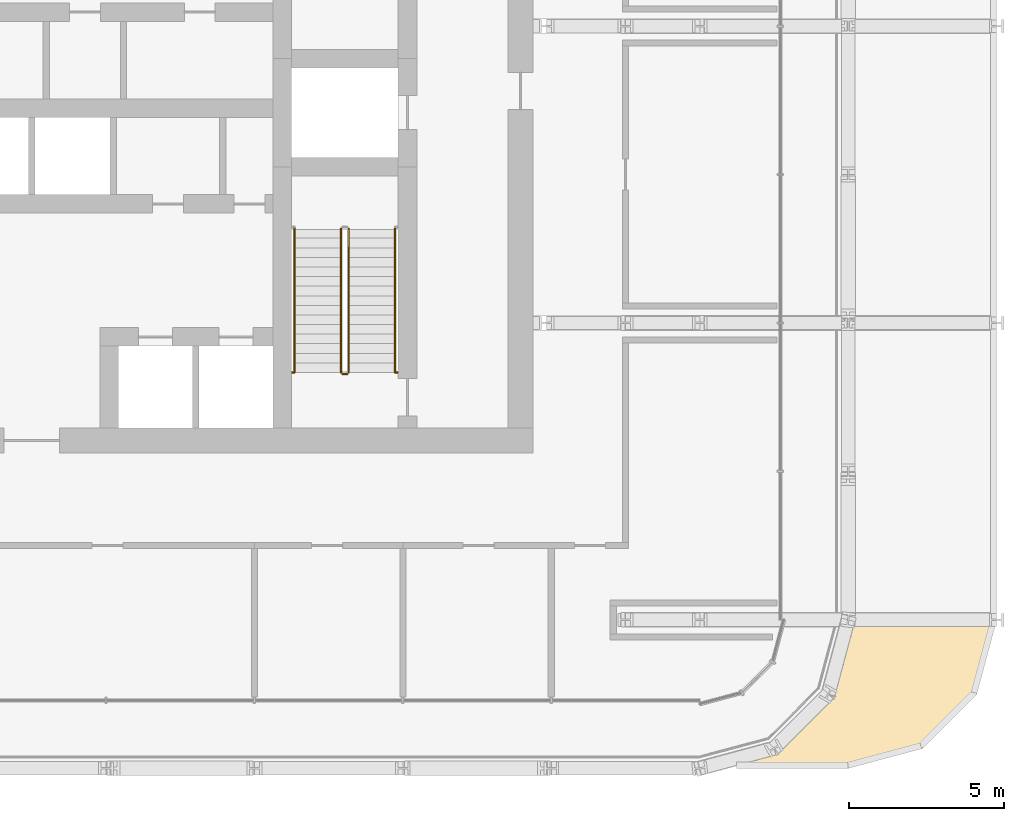
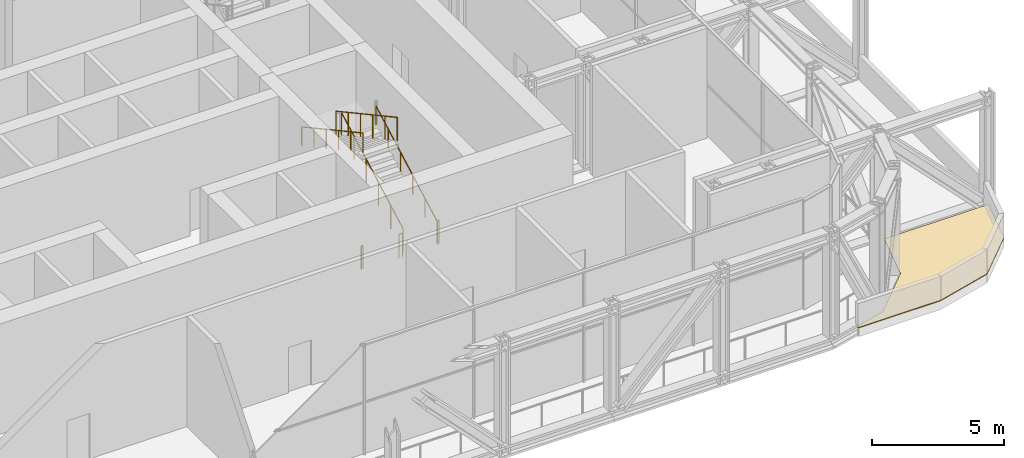
# One storey, part 22 of 25: 7 railings, 1 covering.
"""IFC4 building model written with IfcOpenShell, lengths in metres."""

from ifc_helpers import new_model, si_unit, direction, frame, origin, origin_2d, place, context, subcontext, project, spatial, polyline, circle, outline, extrude, material, layer, layer_set, type_object, element, save


model = new_model("IFC4")

# Units and contexts
model_context = context("Model", 3, precision=1e-05, world=origin(), true_north=direction((0.0, 1.0)))
body_context = subcontext(model_context, "Body", "Model", "MODEL_VIEW")
ifc_project = project(units=[si_unit("LENGTHUNIT", "METRE"), si_unit("AREAUNIT", "SQUARE_METRE"), si_unit("VOLUMEUNIT", "CUBIC_METRE"), si_unit("PLANEANGLEUNIT", "RADIAN"), si_unit("MASSUNIT", "GRAM", prefix="KILO")], contexts=[model_context])

# Site, building, storey
site_placement = place(None, origin())
site = spatial("IfcSite", under=ifc_project, at=site_placement, CompositionType="ELEMENT")
building_placement = place(site_placement, origin())
building = spatial("IfcBuilding", under=site, at=building_placement, Name="Madar Terraces", CompositionType="ELEMENT")
storey_placement = place(building_placement, frame((0.0, 0.0, 113.699951171875)))
storey = spatial("IfcBuildingStorey", under=building, at=storey_placement, Name="L29", CompositionType="ELEMENT", Elevation=113.699951171875)

# Railings
ifc_material_1 = material(Name="Stainless steel railing", Category="steel")
railing_type_1 = type_object("IfcRailingType", Name="Stair guard 1100", PredefinedType="GUARDRAIL", material=ifc_material_1)
railing_1_placement = place(storey_placement, frame((41.449951171875, 17.60009765625, 0.168701171875)))
element("IfcRailing", 1, at=railing_1_placement, inside=storey, type_object=railing_type_1, Name="L29 ST3 stair guard 1", PredefinedType="GUARDRAIL", context=body_context, shape_type="SweptSolid", body=[
    extrude(circle(Radius=0.02392578125, at=origin_2d()), frame((0.0, 0.0, 1.076171875), z_axis=(0.0, 0.878297076953, 0.478115304728), x_axis=(-1.0, 0.0, 0.0)), (0.0, 0.0, 1.0), 5.294189453125),
    extrude(circle(Radius=0.02099609375, at=origin_2d()), origin(), (0.0, 0.0, 1.0), 1.052001953125),
    extrude(circle(Radius=0.02099609375, at=origin_2d()), frame((0.0, 0.929931640625, 0.50634765625)), (0.0, 0.0, 1.0), 1.052001953125),
    extrude(circle(Radius=0.02099609375, at=origin_2d()), frame((0.0, 1.85986328125, 1.012451171875)), (0.0, 0.0, 1.0), 1.052001953125),
    extrude(circle(Radius=0.02099609375, at=origin_2d()), frame((0.0, 2.7900390625, 1.518798828125)), (0.0, 0.0, 1.0), 1.052001953125),
    extrude(circle(Radius=0.02099609375, at=origin_2d()), frame((0.0, 3.719970703125, 2.02490234375)), (0.0, 0.0, 1.0), 1.052001953125),
    extrude(circle(Radius=0.02099609375, at=origin_2d()), frame((0.0, 4.64990234375, 2.53125)), (0.0, 0.0, 1.0), 1.052001953125),
])
railing_2_placement = place(storey_placement, frame((41.199951171875, 22.25, 2.868896484375)))
element("IfcRailing", 2, at=railing_2_placement, inside=storey, type_object=railing_type_1, Name="L29 ST3 stair guard 3", PredefinedType="GUARDRAIL", context=body_context, shape_type="SweptSolid", body=[
    extrude(circle(Radius=0.02392578125, at=origin_2d()), frame((0.0, 0.0, 1.076171875), z_axis=(0.0, -0.878297076953, 0.478115304728), x_axis=(1.0, 0.0, 0.0)), (0.0, 0.0, 1.0), 5.294189453125),
    extrude(circle(Radius=0.02099609375, at=origin_2d()), origin(), (0.0, 0.0, 1.0), 1.052001953125),
    extrude(circle(Radius=0.02099609375, at=origin_2d()), frame((0.0, -0.929931640625, 0.50634765625)), (0.0, 0.0, 1.0), 1.052001953125),
    extrude(circle(Radius=0.02099609375, at=origin_2d()), frame((0.0, -1.85986328125, 1.012451171875)), (0.0, 0.0, 1.0), 1.052001953125),
    extrude(circle(Radius=0.02099609375, at=origin_2d()), frame((0.0, -2.7900390625, 1.518798828125)), (0.0, 0.0, 1.0), 1.052001953125),
    extrude(circle(Radius=0.02099609375, at=origin_2d()), frame((0.0, -3.719970703125, 2.02490234375)), (0.0, 0.0, 1.0), 1.052001953125),
    extrude(circle(Radius=0.02099609375, at=origin_2d()), frame((0.0, -4.64990234375, 2.53125)), (0.0, 0.0, 1.0), 1.052001953125),
])
railing_3_placement = place(storey_placement, frame((41.39990234375, 17.550048828125, 0.0)))
element("IfcRailing", 3, at=railing_3_placement, inside=storey, type_object=railing_type_1, Name="L29 ST3 stair guard 4", PredefinedType="GUARDRAIL", context=body_context, shape_type="SweptSolid", body=[
    extrude(circle(Radius=0.02392578125, at=origin_2d()), frame((0.0, 0.0, 1.076171875), z_axis=(-1.0, 0.0, 0.0), x_axis=(0.0, -1.0, 0.0)), (0.0, 0.0, 1.0), 0.14990234375),
    extrude(circle(Radius=0.02099609375, at=origin_2d()), origin(), (0.0, 0.0, 1.0), 1.052001953125),
    extrude(circle(Radius=0.02099609375, at=origin_2d()), frame((-0.14990234375, 0.0, 0.0)), (0.0, 0.0, 1.0), 1.052001953125),
])
railing_4_placement = place(storey_placement, frame((39.6201171875, 17.60009765625, 0.0)))
element("IfcRailing", 4, at=railing_4_placement, inside=storey, type_object=railing_type_1, Name="L29 stair guard floor 1", PredefinedType="GUARDRAIL", context=body_context, shape_type="SweptSolid", body=[
    extrude(circle(Radius=0.02392578125, at=origin_2d()), frame((0.0, 0.0, 1.076171875), z_axis=(1.0, 0.0, 0.0), x_axis=(0.0, 1.0, 0.0)), (0.0, 0.0, 1.0), 0.079833984375),
    extrude(circle(Radius=0.02099609375, at=origin_2d()), origin(), (0.0, 0.0, 1.0), 1.052001953125),
    extrude(circle(Radius=0.02099609375, at=origin_2d()), frame((0.079833984375, 0.0, 0.0)), (0.0, 0.0, 1.0), 1.052001953125),
])
railing_5_placement = place(storey_placement, frame((42.949951171875, 17.60009765625, 0.0)))
element("IfcRailing", 5, at=railing_5_placement, inside=storey, type_object=railing_type_1, Name="L29 stair guard floor 2", PredefinedType="GUARDRAIL", context=body_context, shape_type="SweptSolid", body=[
    extrude(circle(Radius=0.02392578125, at=origin_2d()), frame((0.0, 0.0, 1.076171875), z_axis=(1.0, 0.0, 0.0), x_axis=(0.0, 1.0, 0.0)), (0.0, 0.0, 1.0), 0.080078125),
    extrude(circle(Radius=0.02099609375, at=origin_2d()), origin(), (0.0, 0.0, 1.0), 1.052001953125),
    extrude(circle(Radius=0.02099609375, at=origin_2d()), frame((0.080078125, 0.0, 0.0)), (0.0, 0.0, 1.0), 1.052001953125),
])
ifc_material_2 = material(Name="Stainless steel railing", Category="steel")
railing_type_2 = type_object("IfcRailingType", Name="Stair handrail 900", PredefinedType="HANDRAIL", material=ifc_material_2)
railing_6_placement = place(storey_placement, frame((42.949951171875, 17.60009765625, 0.168701171875)))
element("IfcRailing", 6, at=railing_6_placement, inside=storey, type_object=railing_type_2, Name="L29 ST3 stair handrail 1", PredefinedType="HANDRAIL", context=body_context, shape_type="SweptSolid", body=[
    extrude(circle(Radius=0.02392578125, at=origin_2d()), frame((0.0, 0.0, 0.8759765625), z_axis=(0.0, 0.878297076953, 0.478115304728), x_axis=(-1.0, 0.0, 0.0)), (0.0, 0.0, 1.0), 5.294189453125),
    extrude(circle(Radius=0.02099609375, at=origin_2d()), origin(), (0.0, 0.0, 1.0), 0.851806640625),
    extrude(circle(Radius=0.02099609375, at=origin_2d()), frame((0.0, 0.929931640625, 0.50634765625)), (0.0, 0.0, 1.0), 0.851806640625),
    extrude(circle(Radius=0.02099609375, at=origin_2d()), frame((0.0, 1.85986328125, 1.012451171875)), (0.0, 0.0, 1.0), 0.851806640625),
    extrude(circle(Radius=0.02099609375, at=origin_2d()), frame((0.0, 2.7900390625, 1.518798828125)), (0.0, 0.0, 1.0), 0.851806640625),
    extrude(circle(Radius=0.02099609375, at=origin_2d()), frame((0.0, 3.719970703125, 2.02490234375)), (0.0, 0.0, 1.0), 0.851806640625),
    extrude(circle(Radius=0.02099609375, at=origin_2d()), frame((0.0, 4.64990234375, 2.53125)), (0.0, 0.0, 1.0), 0.851806640625),
])
railing_7_placement = place(storey_placement, frame((39.699951171875, 22.25, 2.868896484375)))
element("IfcRailing", 7, at=railing_7_placement, inside=storey, type_object=railing_type_2, Name="L29 ST3 stair handrail 2", PredefinedType="HANDRAIL", context=body_context, shape_type="SweptSolid", body=[
    extrude(circle(Radius=0.02392578125, at=origin_2d()), frame((0.0, 0.0, 0.8759765625), z_axis=(0.0, -0.878297076953, 0.478115304728), x_axis=(1.0, 0.0, 0.0)), (0.0, 0.0, 1.0), 5.294189453125),
    extrude(circle(Radius=0.02099609375, at=origin_2d()), origin(), (0.0, 0.0, 1.0), 0.851806640625),
    extrude(circle(Radius=0.02099609375, at=origin_2d()), frame((0.0, -0.929931640625, 0.50634765625)), (0.0, 0.0, 1.0), 0.851806640625),
    extrude(circle(Radius=0.02099609375, at=origin_2d()), frame((0.0, -1.85986328125, 1.012451171875)), (0.0, 0.0, 1.0), 0.851806640625),
    extrude(circle(Radius=0.02099609375, at=origin_2d()), frame((0.0, -2.7900390625, 1.518798828125)), (0.0, 0.0, 1.0), 0.851806640625),
    extrude(circle(Radius=0.02099609375, at=origin_2d()), frame((0.0, -3.719970703125, 2.02490234375)), (0.0, 0.0, 1.0), 0.851806640625),
    extrude(circle(Radius=0.02099609375, at=origin_2d()), frame((0.0, -4.64990234375, 2.53125)), (0.0, 0.0, 1.0), 0.851806640625),
])

# Covering
ifc_material_3 = material(Name="Porcelain paving slabs on pedestals")
ifc_layer = layer(ifc_material_3, 0.0400390625)
ifc_layer_set = layer_set([ifc_layer], Name="Terrace paving 40")
covering_type = type_object("IfcCoveringType", Name="Terrace paving 40", PredefinedType="FLOORING", material=ifc_layer_set)
covering_placement = place(storey_placement, origin())
element("IfcCovering", 8, at=covering_placement, inside=storey, type_object=covering_type, Name="Terrace paving", PredefinedType="FLOORING", context=body_context, shape_type="SweptSolid", body=[
    extrude(outline(polyline([(57.154052734375, 7.084716796875), (57.155029296875, 7.085693359375), (57.155517578125, 7.0869140625), (57.759521484375, 9.342041015625), (57.76123046875, 9.3466796875), (57.76318359375, 9.351318359375), (57.765625, 9.355712890625), (57.7685546875, 9.35986328125), (57.77197265625, 9.36376953125), (57.775390625, 9.3671875), (57.779541015625, 9.3701171875), (57.78369140625, 9.372802734375), (57.788330078125, 9.375), (57.793212890625, 9.376708984375), (57.7978515625, 9.3779296875), (57.802978515625, 9.37890625), (57.807861328125, 9.37890625), (62.275634765625, 9.37890625), (62.280517578125, 9.37890625), (62.28515625, 9.378173828125), (62.289794921875, 9.376953125), (62.29443359375, 9.375244140625), (62.298828125, 9.373291015625), (62.302978515625, 9.370849609375), (62.306884765625, 9.3681640625), (62.310546875, 9.364990234375), (62.313720703125, 9.361328125), (62.316650390625, 9.357421875), (62.3193359375, 9.353515625), (62.3212890625, 9.34912109375), (62.322998046875, 9.344482421875), (62.324462890625, 9.340087890625), (62.3251953125, 9.335205078125), (62.32568359375, 9.330322265625), (62.325439453125, 9.32568359375), (62.324951171875, 9.32080078125), (62.323974609375, 9.316162109375), (61.760498046875, 7.212890625), (61.7587890625, 7.2080078125), (61.756591796875, 7.203125), (61.75390625, 7.198486328125), (61.7509765625, 7.1943359375), (61.747314453125, 7.1904296875), (60.009521484375, 5.45263671875), (60.005615234375, 5.448974609375), (60.00146484375, 5.446044921875), (59.996826171875, 5.443359375), (59.991943359375, 5.441162109375), (59.987060546875, 5.439697265625), (57.6064453125, 4.8017578125), (57.60205078125, 4.80078125), (57.597900390625, 4.80029296875), (57.593505859375, 4.800048828125), (54.03369140625, 4.800048828125), (54.028564453125, 4.80029296875), (54.023681640625, 4.801025390625), (54.018798828125, 4.80224609375), (54.01416015625, 4.803955078125), (54.009765625, 4.805908203125), (54.005615234375, 4.80859375), (54.001708984375, 4.8115234375), (53.997802734375, 4.81494140625), (53.99462890625, 4.818603515625), (53.99169921875, 4.82275390625), (53.9892578125, 4.826904296875), (53.987060546875, 4.83154296875), (53.985595703125, 4.836181640625), (53.984375, 4.841064453125), (53.98388671875, 4.845947265625), (53.983642578125, 4.850830078125), (53.98388671875, 4.85595703125), (53.98486328125, 4.860595703125), (53.986083984375, 4.865478515625), (53.98779296875, 4.8701171875), (53.989990234375, 4.87451171875), (53.99267578125, 4.87890625), (53.995849609375, 4.8828125), (53.999267578125, 4.88623046875), (54.0029296875, 4.889404296875), (54.007080078125, 4.892333984375), (54.011474609375, 4.894775390625), (54.015869140625, 4.896728515625), (54.0205078125, 4.898193359375), (55.31298828125, 5.24462890625), (55.314453125, 5.2451171875), (55.315185546875, 5.245849609375), (57.154052734375, 7.084716796875)])), origin(), (0.0, 0.0, 1.0), 0.0400390625),
])

save(model, "model.ifc")
